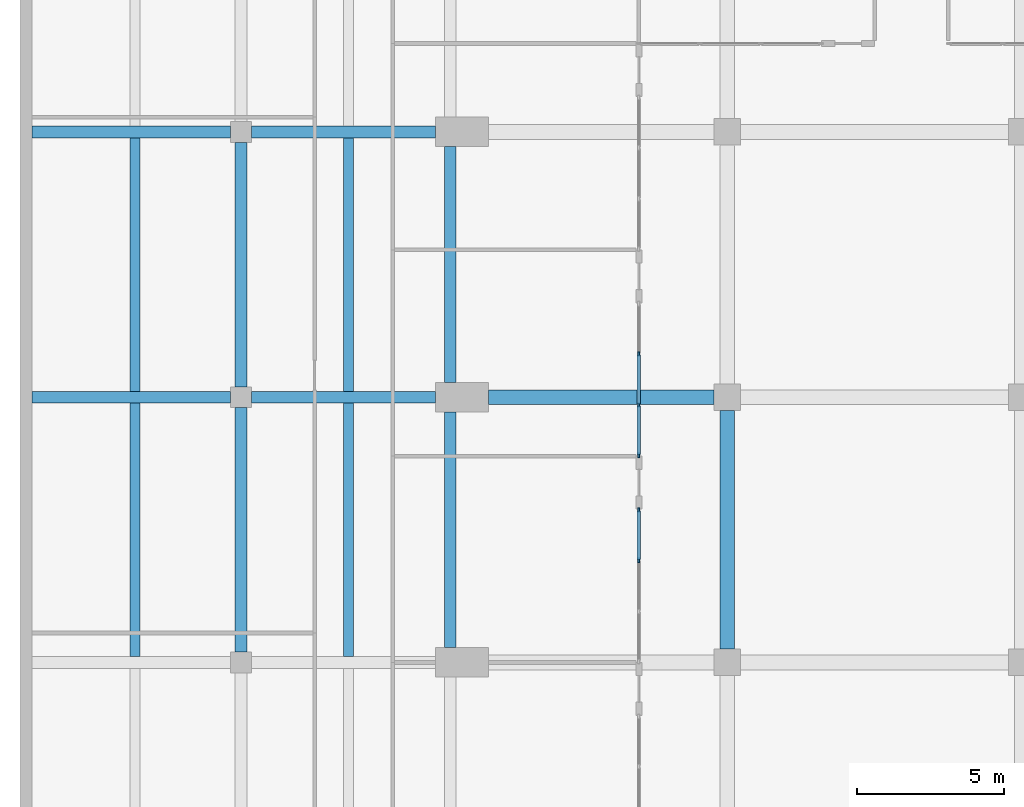
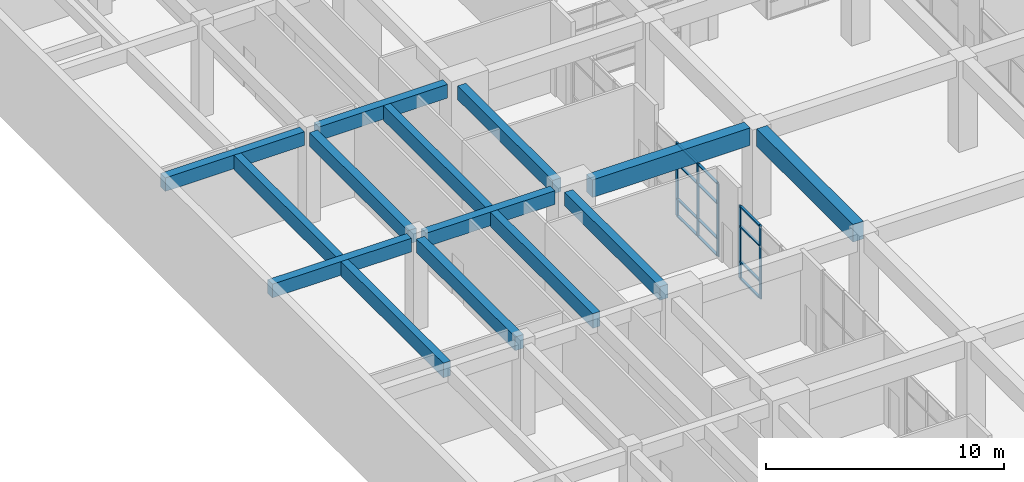
# One storey, part 6 of 29: 17 members, 14 beams, 2 elements without a shape of their own.
"""IFC4 building model written with IfcOpenShell, lengths in metres."""

from ifc_helpers import new_model, si_unit, direction, frame, origin, origin_2d, place, context, subcontext, project, spatial, rectangle, extrude, material, material_profile, profile_set, type_object, element, aggregate, save


model = new_model("IFC4")

# Units and contexts
model_context = context("Model", 3, precision=1e-05, world=origin(), true_north=direction((0.0, 1.0)))
body_context = subcontext(model_context, "Body", "Model", "MODEL_VIEW")
ifc_project = project(units=[si_unit("LENGTHUNIT", "METRE"), si_unit("AREAUNIT", "SQUARE_METRE"), si_unit("VOLUMEUNIT", "CUBIC_METRE"), si_unit("PLANEANGLEUNIT", "RADIAN"), si_unit("MASSUNIT", "GRAM", prefix="KILO")], contexts=[model_context])

# Site, building, storey
site_placement = place(None, origin())
site = spatial("IfcSite", under=ifc_project, at=site_placement, CompositionType="ELEMENT")
building_placement = place(site_placement, origin())
building = spatial("IfcBuilding", under=site, at=building_placement, Name="Elmora Arch Market Hall", CompositionType="ELEMENT")
storey_placement = place(building_placement, frame((0.0, 0.0, -5.0)))
storey = spatial("IfcBuildingStorey", under=building, at=storey_placement, Name="LG", CompositionType="ELEMENT", Elevation=-5.0)

# Beams
ifc_material_1 = material(Name="Concrete C32/40", Category="concrete")
ifc_material_profile_1 = material_profile(ifc_material_1, rectangle(XDim=0.5, YDim=0.89990234375, at=origin_2d()), Name="Basement girder 500x900")
ifc_profile_set_1 = profile_set([ifc_material_profile_1], Name="Concrete C32/40")
beam_type_1 = type_object("IfcBeamType", Name="Basement girder 500x900", PredefinedType="BEAM", material=ifc_profile_set_1)
beam_1_placement = place(storey_placement, frame((15.89990234375, 72.0, 4.199951171875), z_axis=(1.0, 0.0, 0.0), x_axis=(0.0, 1.0, 0.0)))
element("IfcBeam", 1, at=beam_1_placement, inside=storey, type_object=beam_type_1, Name="Basement girder HR6 LG.1", PredefinedType="BEAM", context=body_context, shape_type="SweptSolid", body=[
    extrude(rectangle(XDim=0.5, YDim=0.89990234375, at=origin_2d()), origin(), (0.0, 0.0, 1.0), 7.650146484375),
])
beam_2_placement = place(storey_placement, frame((24.0, 63.449951171875, 4.199951171875), z_axis=(0.0, 1.0, 0.0), x_axis=(-1.0, 0.0, 0.0)))
element("IfcBeam", 2, at=beam_2_placement, inside=storey, type_object=beam_type_1, Name="Basement girder HC1 LG.5", PredefinedType="BEAM", context=body_context, shape_type="SweptSolid", body=[
    extrude(rectangle(XDim=0.5, YDim=0.89990234375, at=origin_2d()), origin(), (0.0, 0.0, 1.0), 8.10009765625),
])

# Curtain wall, members
ifc_material_2 = material(Name="Aluminium", Category="aluminium")
curtain_wall_type = type_object("IfcCurtainWallType", Name="Lower ground shopfront curtain wall", PredefinedType="NOTDEFINED", material=ifc_material_2)
curtain_wall_1_placement = place(storey_placement, origin())
curtain_wall_1 = element("IfcCurtainWall", 3, at=curtain_wall_1_placement, inside=storey, type_object=curtain_wall_type, Name="Lower ground shopfront W4", PredefinedType="NOTDEFINED")
ifc_material_3 = material(Name="Aluminium", Category="aluminium")
ifc_material_profile_2 = material_profile(ifc_material_3, rectangle(XDim=0.06005859375, YDim=0.159912109375, at=origin_2d()), Name="AL 60x160")
ifc_profile_set_2 = profile_set([ifc_material_profile_2], Name="Aluminium")
member_type_1 = type_object("IfcMemberType", Name="Mullion 60x160", PredefinedType="MULLION", material=ifc_profile_set_2)
member_1_placement = place(storey_placement, frame((21.0, 66.466552734375, 0.0), z_axis=(0.0, 0.0, 1.0), x_axis=(-1.0, 0.0, 0.0)))
member_1 = element("IfcMember", 4, at=member_1_placement, type_object=member_type_1, Name="CW6 mullion 3", PredefinedType="MULLION", context=body_context, shape_type="SweptSolid", body=[
    extrude(rectangle(XDim=0.06005859375, YDim=0.159912109375, at=origin_2d()), origin(), (0.0, 0.0, 1.0), 3.75),
])
member_2_placement = place(storey_placement, frame((21.0, 68.169921875, 0.0), z_axis=(0.0, 0.0, 1.0), x_axis=(-1.0, 0.0, 0.0)))
member_2 = element("IfcMember", 5, at=member_2_placement, type_object=member_type_1, Name="CW6 mullion 4", PredefinedType="MULLION", context=body_context, shape_type="SweptSolid", body=[
    extrude(rectangle(XDim=0.06005859375, YDim=0.159912109375, at=origin_2d()), origin(), (0.0, 0.0, 1.0), 3.75),
])

curtain_wall_2_placement = place(storey_placement, origin())
curtain_wall_2 = element("IfcCurtainWall", 6, at=curtain_wall_2_placement, inside=storey, type_object=curtain_wall_type, Name="Lower ground shopfront W5", PredefinedType="NOTDEFINED")
member_3_placement = place(storey_placement, frame((21.0, 70.030029296875, 0.0), z_axis=(0.0, 0.0, 1.0), x_axis=(-1.0, 0.0, 0.0)))
member_3 = element("IfcMember", 7, at=member_3_placement, type_object=member_type_1, Name="CW6 mullion 1", PredefinedType="MULLION", context=body_context, shape_type="SweptSolid", body=[
    extrude(rectangle(XDim=0.06005859375, YDim=0.159912109375, at=origin_2d()), origin(), (0.0, 0.0, 1.0), 3.75),
])
member_4_placement = place(storey_placement, frame((21.0, 71.7333984375, 0.0), z_axis=(0.0, 0.0, 1.0), x_axis=(-1.0, 0.0, 0.0)))
member_4 = element("IfcMember", 8, at=member_4_placement, type_object=member_type_1, Name="CW6 mullion 2", PredefinedType="MULLION", context=body_context, shape_type="SweptSolid", body=[
    extrude(rectangle(XDim=0.06005859375, YDim=0.159912109375, at=origin_2d()), origin(), (0.0, 0.0, 1.0), 3.75),
])
member_5_placement = place(storey_placement, frame((21.0, 73.466552734375, 0.0), z_axis=(0.0, 0.0, 1.0), x_axis=(-1.0, 0.0, 0.0)))
member_5 = element("IfcMember", 9, at=member_5_placement, type_object=member_type_1, Name="CW6 mullion 3", PredefinedType="MULLION", context=body_context, shape_type="SweptSolid", body=[
    extrude(rectangle(XDim=0.06005859375, YDim=0.159912109375, at=origin_2d()), origin(), (0.0, 0.0, 1.0), 3.75),
])

# Member
ifc_material_4 = material(Name="Aluminium", Category="aluminium")
ifc_material_profile_3 = material_profile(ifc_material_4, rectangle(XDim=0.1201171875, YDim=0.06005859375, at=origin_2d()), Name="AL 120x60")
ifc_profile_set_3 = profile_set([ifc_material_profile_3], Name="Aluminium")
member_type_2 = type_object("IfcMemberType", Name="Transom 120x60", PredefinedType="USERDEFINED", material=ifc_profile_set_3)
member_6_placement = place(storey_placement, frame((21.0, 66.49658203125, 0.030029296875), z_axis=(0.0, 1.0, 0.0), x_axis=(-1.0, 0.0, 0.0)))
member_6 = element("IfcMember", 10, at=member_6_placement, type_object=member_type_2, Name="CW6 transom 3.1", ObjectType="TRANSOM", PredefinedType="USERDEFINED", context=body_context, shape_type="SweptSolid", body=[
    extrude(rectangle(XDim=0.1201171875, YDim=0.06005859375, at=origin_2d()), origin(), (0.0, 0.0, 1.0), 1.643310546875),
])

member_7_placement = place(storey_placement, frame((21.0, 66.49658203125, 0.89990234375), z_axis=(0.0, 1.0, 0.0), x_axis=(-1.0, 0.0, 0.0)))
member_7 = element("IfcMember", 11, at=member_7_placement, type_object=member_type_2, Name="CW6 transom 3.2", ObjectType="TRANSOM", PredefinedType="USERDEFINED", context=body_context, shape_type="SweptSolid", body=[
    extrude(rectangle(XDim=0.1201171875, YDim=0.06005859375, at=origin_2d()), origin(), (0.0, 0.0, 1.0), 1.643310546875),
])

member_8_placement = place(storey_placement, frame((21.0, 66.49658203125, 2.699951171875), z_axis=(0.0, 1.0, 0.0), x_axis=(-1.0, 0.0, 0.0)))
member_8 = element("IfcMember", 12, at=member_8_placement, type_object=member_type_2, Name="CW6 transom 3.3", ObjectType="TRANSOM", PredefinedType="USERDEFINED", context=body_context, shape_type="SweptSolid", body=[
    extrude(rectangle(XDim=0.1201171875, YDim=0.06005859375, at=origin_2d()), origin(), (0.0, 0.0, 1.0), 1.643310546875),
])

member_9_placement = place(storey_placement, frame((21.0, 66.49658203125, 3.719970703125), z_axis=(0.0, 1.0, 0.0), x_axis=(-1.0, 0.0, 0.0)))
member_9 = element("IfcMember", 13, at=member_9_placement, type_object=member_type_2, Name="CW6 transom 3.4", ObjectType="TRANSOM", PredefinedType="USERDEFINED", context=body_context, shape_type="SweptSolid", body=[
    extrude(rectangle(XDim=0.1201171875, YDim=0.06005859375, at=origin_2d()), origin(), (0.0, 0.0, 1.0), 1.643310546875),
])

aggregate(curtain_wall_1, [member_1, member_2, member_6, member_7, member_8, member_9])

member_10_placement = place(storey_placement, frame((21.0, 70.06005859375, 0.030029296875), z_axis=(0.0, 1.0, 0.0), x_axis=(-1.0, 0.0, 0.0)))
member_10 = element("IfcMember", 14, at=member_10_placement, type_object=member_type_2, Name="CW6 transom 1.1", ObjectType="TRANSOM", PredefinedType="USERDEFINED", context=body_context, shape_type="SweptSolid", body=[
    extrude(rectangle(XDim=0.1201171875, YDim=0.06005859375, at=origin_2d()), origin(), (0.0, 0.0, 1.0), 1.643310546875),
])

member_11_placement = place(storey_placement, frame((21.0, 70.06005859375, 0.89990234375), z_axis=(0.0, 1.0, 0.0), x_axis=(-1.0, 0.0, 0.0)))
member_11 = element("IfcMember", 15, at=member_11_placement, type_object=member_type_2, Name="CW6 transom 1.2", ObjectType="TRANSOM", PredefinedType="USERDEFINED", context=body_context, shape_type="SweptSolid", body=[
    extrude(rectangle(XDim=0.1201171875, YDim=0.06005859375, at=origin_2d()), origin(), (0.0, 0.0, 1.0), 1.643310546875),
])

member_12_placement = place(storey_placement, frame((21.0, 70.06005859375, 2.699951171875), z_axis=(0.0, 1.0, 0.0), x_axis=(-1.0, 0.0, 0.0)))
member_12 = element("IfcMember", 16, at=member_12_placement, type_object=member_type_2, Name="CW6 transom 1.3", ObjectType="TRANSOM", PredefinedType="USERDEFINED", context=body_context, shape_type="SweptSolid", body=[
    extrude(rectangle(XDim=0.1201171875, YDim=0.06005859375, at=origin_2d()), origin(), (0.0, 0.0, 1.0), 1.643310546875),
])

member_13_placement = place(storey_placement, frame((21.0, 70.06005859375, 3.719970703125), z_axis=(0.0, 1.0, 0.0), x_axis=(-1.0, 0.0, 0.0)))
member_13 = element("IfcMember", 17, at=member_13_placement, type_object=member_type_2, Name="CW6 transom 1.4", ObjectType="TRANSOM", PredefinedType="USERDEFINED", context=body_context, shape_type="SweptSolid", body=[
    extrude(rectangle(XDim=0.1201171875, YDim=0.06005859375, at=origin_2d()), origin(), (0.0, 0.0, 1.0), 1.643310546875),
])

member_14_placement = place(storey_placement, frame((21.0, 71.763427734375, 0.030029296875), z_axis=(0.0, 1.0, 0.0), x_axis=(-1.0, 0.0, 0.0)))
member_14 = element("IfcMember", 18, at=member_14_placement, type_object=member_type_2, Name="CW6 transom 2.1", ObjectType="TRANSOM", PredefinedType="USERDEFINED", context=body_context, shape_type="SweptSolid", body=[
    extrude(rectangle(XDim=0.1201171875, YDim=0.06005859375, at=origin_2d()), origin(), (0.0, 0.0, 1.0), 1.67333984375),
])

member_15_placement = place(storey_placement, frame((21.0, 71.763427734375, 0.89990234375), z_axis=(0.0, 1.0, 0.0), x_axis=(-1.0, 0.0, 0.0)))
member_15 = element("IfcMember", 19, at=member_15_placement, type_object=member_type_2, Name="CW6 transom 2.2", ObjectType="TRANSOM", PredefinedType="USERDEFINED", context=body_context, shape_type="SweptSolid", body=[
    extrude(rectangle(XDim=0.1201171875, YDim=0.06005859375, at=origin_2d()), origin(), (0.0, 0.0, 1.0), 1.67333984375),
])

member_16_placement = place(storey_placement, frame((21.0, 71.763427734375, 2.699951171875), z_axis=(0.0, 1.0, 0.0), x_axis=(-1.0, 0.0, 0.0)))
member_16 = element("IfcMember", 20, at=member_16_placement, type_object=member_type_2, Name="CW6 transom 2.3", ObjectType="TRANSOM", PredefinedType="USERDEFINED", context=body_context, shape_type="SweptSolid", body=[
    extrude(rectangle(XDim=0.1201171875, YDim=0.06005859375, at=origin_2d()), origin(), (0.0, 0.0, 1.0), 1.67333984375),
])

member_17_placement = place(storey_placement, frame((21.0, 71.763427734375, 3.719970703125), z_axis=(0.0, 1.0, 0.0), x_axis=(-1.0, 0.0, 0.0)))
member_17 = element("IfcMember", 21, at=member_17_placement, type_object=member_type_2, Name="CW6 transom 2.4", ObjectType="TRANSOM", PredefinedType="USERDEFINED", context=body_context, shape_type="SweptSolid", body=[
    extrude(rectangle(XDim=0.1201171875, YDim=0.06005859375, at=origin_2d()), origin(), (0.0, 0.0, 1.0), 1.67333984375),
])

aggregate(curtain_wall_2, [member_3, member_4, member_5, member_10, member_11, member_12, member_13, member_14, member_15, member_16, member_17])

# Beams
ifc_material_5 = material(Name="Concrete C32/40", Category="concrete")
ifc_material_profile_4 = material_profile(ifc_material_5, rectangle(XDim=0.39990234375, YDim=0.699951171875, at=origin_2d()), Name="Wing beam 400x700")
ifc_profile_set_4 = profile_set([ifc_material_profile_4], Name="Concrete C32/40")
beam_type_2 = type_object("IfcBeamType", Name="Wing beam 400x700", PredefinedType="BEAM", material=ifc_profile_set_4)
beam_3_placement = place(storey_placement, frame((0.39990234375, 72.0, 4.35009765625), z_axis=(1.0, 0.0, 0.0), x_axis=(0.0, 1.0, 0.0)))
element("IfcBeam", 22, at=beam_3_placement, inside=storey, type_object=beam_type_2, Name="Wing beam WR6 LG.1", PredefinedType="BEAM", context=body_context, shape_type="SweptSolid", body=[
    extrude(rectangle(XDim=0.39990234375, YDim=0.699951171875, at=origin_2d()), origin(), (0.0, 0.0, 1.0), 6.75),
])
beam_4_placement = place(storey_placement, frame((7.85009765625, 72.0, 4.35009765625), z_axis=(1.0, 0.0, 0.0), x_axis=(0.0, 1.0, 0.0)))
element("IfcBeam", 23, at=beam_4_placement, inside=storey, type_object=beam_type_2, Name="Wing beam WR6 LG.2", PredefinedType="BEAM", context=body_context, shape_type="SweptSolid", body=[
    extrude(rectangle(XDim=0.39990234375, YDim=0.699951171875, at=origin_2d()), origin(), (0.0, 0.0, 1.0), 6.25),
])
beam_5_placement = place(storey_placement, frame((0.39990234375, 81.0, 4.35009765625), z_axis=(1.0, 0.0, 0.0), x_axis=(0.0, 1.0, 0.0)))
element("IfcBeam", 24, at=beam_5_placement, inside=storey, type_object=beam_type_2, Name="Wing beam WR7 LG.1", PredefinedType="BEAM", context=body_context, shape_type="SweptSolid", body=[
    extrude(rectangle(XDim=0.39990234375, YDim=0.699951171875, at=origin_2d()), origin(), (0.0, 0.0, 1.0), 6.75),
])
beam_6_placement = place(storey_placement, frame((7.85009765625, 81.0, 4.35009765625), z_axis=(1.0, 0.0, 0.0), x_axis=(0.0, 1.0, 0.0)))
element("IfcBeam", 25, at=beam_6_placement, inside=storey, type_object=beam_type_2, Name="Wing beam WR7 LG.2", PredefinedType="BEAM", context=body_context, shape_type="SweptSolid", body=[
    extrude(rectangle(XDim=0.39990234375, YDim=0.699951171875, at=origin_2d()), origin(), (0.0, 0.0, 1.0), 6.25),
])
for number, where, z_axis, x_axis, name in (
    (26, (7.5, 63.35009765625, 4.35009765625), (0.0, 1.0, 0.0), (-1.0, 0.0, 0.0), "Wing beam WG LG.5"),
    (27, (7.5, 72.35009765625, 4.35009765625), (0.0, 1.0, 0.0), (-1.0, 0.0, 0.0), "Wing beam WG LG.6"),
):
    element("IfcBeam", number, at=place(storey_placement, frame(where, z_axis=z_axis, x_axis=x_axis)), inside=storey, type_object=beam_type_2, Name=name, PredefinedType="BEAM", context=body_context, shape_type="SweptSolid", body=[
        extrude(rectangle(XDim=0.39990234375, YDim=0.699951171875, at=origin_2d()), origin(), (0.0, 0.0, 1.0), 8.2998046875),
    ])
for number, where, z_axis, x_axis, name in (
    (28, (14.60009765625, 63.5, 4.35009765625), (0.0, 1.0, 0.0), (-1.0, 0.0, 0.0), "Wing beam WEB LG.5"),
    (29, (14.60009765625, 72.5, 4.35009765625), (0.0, 1.0, 0.0), (-1.0, 0.0, 0.0), "Wing beam WEB LG.6"),
):
    element("IfcBeam", number, at=place(storey_placement, frame(where, z_axis=z_axis, x_axis=x_axis)), inside=storey, type_object=beam_type_2, Name=name, PredefinedType="BEAM", context=body_context, shape_type="SweptSolid", body=[
        extrude(rectangle(XDim=0.39990234375, YDim=0.699951171875, at=origin_2d()), origin(), (0.0, 0.0, 1.0), 8.0),
    ])
ifc_material_6 = material(Name="Concrete C32/40", Category="concrete")
ifc_material_profile_5 = material_profile(ifc_material_6, rectangle(XDim=0.35009765625, YDim=0.75, at=origin_2d()), Name="Wing joist 350x750")
ifc_profile_set_5 = profile_set([ifc_material_profile_5], Name="Concrete C32/40")
beam_type_3 = type_object("IfcBeamType", Name="Wing joist 350x750", PredefinedType="JOIST", material=ifc_profile_set_5)
for number, where, z_axis, x_axis, name in (
    (30, (3.89990234375, 63.199951171875, 4.324951171875), (0.0, 1.0, 0.0), (-1.0, 0.0, 0.0), "Wing joist WJ1 LG.5"),
    (31, (3.89990234375, 72.199951171875, 4.324951171875), (0.0, 1.0, 0.0), (-1.0, 0.0, 0.0), "Wing joist WJ1 LG.6"),
    (32, (11.14990234375, 63.199951171875, 4.324951171875), (0.0, 1.0, 0.0), (-1.0, 0.0, 0.0), "Wing joist WJ2 LG.5"),
    (33, (11.14990234375, 72.199951171875, 4.324951171875), (0.0, 1.0, 0.0), (-1.0, 0.0, 0.0), "Wing joist WJ2 LG.6"),
):
    element("IfcBeam", number, at=place(storey_placement, frame(where, z_axis=z_axis, x_axis=x_axis)), inside=storey, type_object=beam_type_3, Name=name, PredefinedType="JOIST", context=body_context, shape_type="SweptSolid", body=[
        extrude(rectangle(XDim=0.35009765625, YDim=0.75, at=origin_2d()), origin(), (0.0, 0.0, 1.0), 8.60009765625),
    ])

save(model, "model.ifc")
